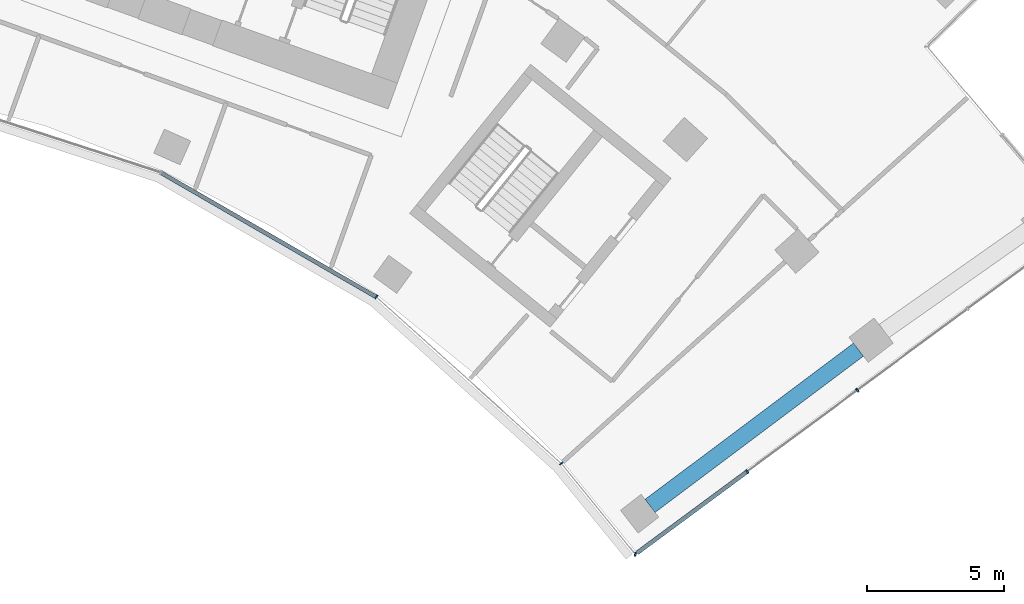
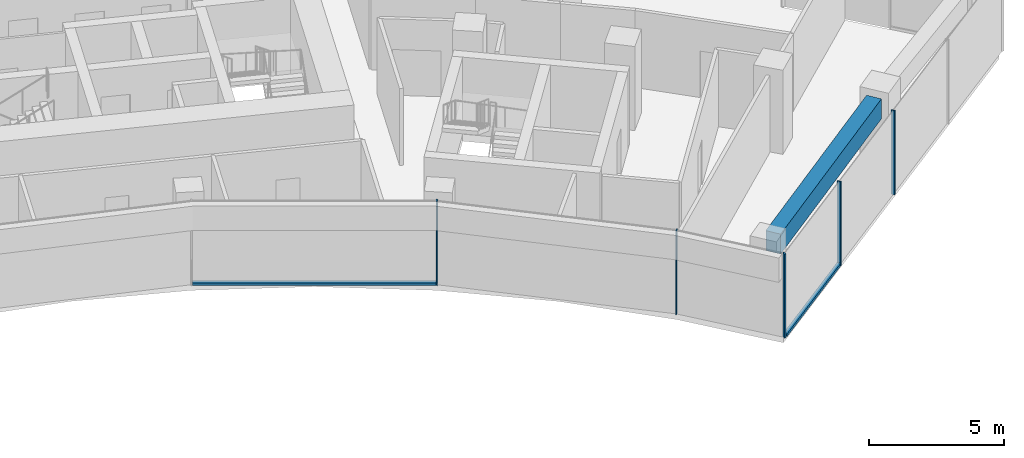
# One storey, part 7 of 19: 7 members, 1 beam, 2 elements without a shape of their own.
"""IFC4 building model written with IfcOpenShell, lengths in metres."""

from ifc_helpers import new_model, si_unit, direction, frame, origin, origin_2d, place, context, subcontext, project, spatial, rectangle, extrude, material, layer, layer_set, material_profile, profile_set, type_object, element, aggregate, save


model = new_model("IFC4")

# Units and contexts
model_context = context("Model", 3, precision=1e-05, world=origin(), true_north=direction((0.0, 1.0)))
body_context = subcontext(model_context, "Body", "Model", "MODEL_VIEW")
ifc_project = project(units=[si_unit("LENGTHUNIT", "METRE"), si_unit("AREAUNIT", "SQUARE_METRE"), si_unit("VOLUMEUNIT", "CUBIC_METRE"), si_unit("PLANEANGLEUNIT", "RADIAN"), si_unit("MASSUNIT", "GRAM", prefix="KILO")], contexts=[model_context])

# Site, building, storey
site_placement = place(None, origin())
site = spatial("IfcSite", under=ifc_project, at=site_placement, CompositionType="ELEMENT")
building_placement = place(site_placement, origin())
building = spatial("IfcBuilding", under=site, at=building_placement, Name="Stone Belt Terrace Tower", CompositionType="ELEMENT")
storey_placement = place(building_placement, frame((0.0, 0.0, 204.800048828125)))
storey = spatial("IfcBuildingStorey", under=building, at=storey_placement, Name="L49", CompositionType="ELEMENT", Elevation=204.800048828125)

# Curtain wall, members
ifc_material_1 = material(Name="Aluminium 6063-T6 anodised frame", Category="aluminium")
ifc_layer_1 = layer(ifc_material_1, 0.14990234375)
ifc_layer_set_1 = layer_set([ifc_layer_1], Name="CW-B unitised concave-face curtain wall")
curtain_wall_type_1 = type_object("IfcCurtainWallType", Name="CW-B unitised concave-face curtain wall", PredefinedType="NOTDEFINED", material=ifc_layer_set_1)
curtain_wall_1_placement = place(storey_placement, origin())
curtain_wall_1 = element("IfcCurtainWall", 1, at=curtain_wall_1_placement, inside=storey, type_object=curtain_wall_type_1, Name="CW-B concave face L49", PredefinedType="NOTDEFINED")
ifc_material_profile_1 = material_profile(ifc_material_1, rectangle(XDim=0.14990234375, YDim=0.050048828125, at=origin_2d()), Name="Aluminium 6063-T6 50x150")
ifc_profile_set_1 = profile_set([ifc_material_profile_1], Name="Aluminium 6063-T6 anodised frame")
member_type_1 = type_object("IfcMemberType", Name="CW-B mullion 50 x 150", PredefinedType="MULLION", material=ifc_profile_set_1)
member_1_placement = place(storey_placement, frame((25.5244140625, 35.13134765625, 0.0), z_axis=(0.0, 0.0, 1.0), x_axis=(0.587785252292, 0.809016994375, 0.0)))
member_1 = element("IfcMember", 2, at=member_1_placement, type_object=member_type_1, Name="CW-B mullion 8", PredefinedType="MULLION", context=body_context, shape_type="SweptSolid", body=[
    extrude(rectangle(XDim=0.14990234375, YDim=0.050048828125, at=origin_2d()), origin(), (0.0, 0.0, 1.0), 3.800048828125),
])
member_2_placement = place(storey_placement, frame((32.2724609375, 29.05517578125, 0.0), z_axis=(0.0, 0.0, 1.0), x_axis=(0.724007879695, 0.689791700544, 0.0)))
member_2 = element("IfcMember", 3, at=member_2_placement, type_object=member_type_1, Name="CW-B mullion 9", PredefinedType="MULLION", context=body_context, shape_type="SweptSolid", body=[
    extrude(rectangle(XDim=0.14990234375, YDim=0.050048828125, at=origin_2d()), origin(), (0.0, 0.0, 1.0), 3.800048828125),
])
ifc_material_profile_2 = material_profile(ifc_material_1, rectangle(XDim=0.14990234375, YDim=0.1201171875, at=origin_2d()), Name="Aluminium 6063-T6 150x120")
ifc_profile_set_2 = profile_set([ifc_material_profile_2], Name="Aluminium 6063-T6 anodised frame")
member_type_2 = type_object("IfcMemberType", Name="CW-B transom 120 x 150", PredefinedType="USERDEFINED", material=ifc_profile_set_2)
member_3_placement = place(storey_placement, frame((17.690673828125, 39.654052734375, 0.06005859375), z_axis=(0.866019133895, -0.500010859609, 0.0), x_axis=(0.500010859609, 0.866019133895, 0.0)))
member_3 = element("IfcMember", 4, at=member_3_placement, type_object=member_type_2, Name="CW-B transom 7.1", ObjectType="TRANSOM", PredefinedType="USERDEFINED", context=body_context, shape_type="SweptSolid", body=[
    extrude(rectangle(XDim=0.14990234375, YDim=0.1201171875, at=origin_2d()), origin(), (0.0, 0.0, 1.0), 9.012939453125),
])
aggregate(curtain_wall_1, [member_1, member_2, member_3])

ifc_layer_2 = layer(ifc_material_1, 0.14990234375)
ifc_layer_set_2 = layer_set([ifc_layer_2], Name="CW-C stick curtain wall, horn ends and notches")
curtain_wall_type_2 = type_object("IfcCurtainWallType", Name="CW-C stick curtain wall, horn ends and notches", PredefinedType="NOTDEFINED", material=ifc_layer_set_2)
curtain_wall_2_placement = place(storey_placement, origin())
curtain_wall_2 = element("IfcCurtainWall", 5, at=curtain_wall_2_placement, inside=storey, type_object=curtain_wall_type_2, Name="CW-C end face L49", PredefinedType="NOTDEFINED")
ifc_material_profile_3 = material_profile(ifc_material_1, rectangle(XDim=0.14990234375, YDim=0.06005859375, at=origin_2d()), Name="Aluminium 6063-T6 60x150")
ifc_profile_set_3 = profile_set([ifc_material_profile_3], Name="Aluminium 6063-T6 anodised frame")
member_type_3 = type_object("IfcMemberType", Name="CW-C mullion 60 x 150", PredefinedType="MULLION", material=ifc_profile_set_3)
member_4_placement = place(storey_placement, frame((34.975341796875, 25.744140625, 0.0), z_axis=(0.0, 0.0, 1.0), x_axis=(0.124625557677, 0.992203845172, 0.0)))
member_4 = element("IfcMember", 6, at=member_4_placement, type_object=member_type_3, Name="CW-C mullion 1", PredefinedType="MULLION", context=body_context, shape_type="SweptSolid", body=[
    extrude(rectangle(XDim=0.14990234375, YDim=0.06005859375, at=origin_2d()), origin(), (0.0, 0.0, 1.0), 3.800048828125),
])
member_5_placement = place(storey_placement, frame((39.054443359375, 28.757568359375, 0.0), z_axis=(0.0, 0.0, 1.0), x_axis=(-0.594184091865, 0.804329077539, 0.0)))
member_5 = element("IfcMember", 7, at=member_5_placement, type_object=member_type_3, Name="CW-C mullion 2", PredefinedType="MULLION", context=body_context, shape_type="SweptSolid", body=[
    extrude(rectangle(XDim=0.14990234375, YDim=0.06005859375, at=origin_2d()), origin(), (0.0, 0.0, 1.0), 3.800048828125),
])
member_6_placement = place(storey_placement, frame((43.076171875, 31.728515625, 0.0), z_axis=(0.0, 0.0, 1.0), x_axis=(-0.594184091865, 0.804329077539, 0.0)))
member_6 = element("IfcMember", 8, at=member_6_placement, type_object=member_type_3, Name="CW-C mullion 3", PredefinedType="MULLION", context=body_context, shape_type="SweptSolid", body=[
    extrude(rectangle(XDim=0.14990234375, YDim=0.06005859375, at=origin_2d()), origin(), (0.0, 0.0, 1.0), 3.800048828125),
])
ifc_material_profile_4 = material_profile(ifc_material_1, rectangle(XDim=0.14990234375, YDim=0.1201171875, at=origin_2d()), Name="Aluminium 6063-T6 150x120")
ifc_profile_set_4 = profile_set([ifc_material_profile_4], Name="Aluminium 6063-T6 anodised frame")
member_type_4 = type_object("IfcMemberType", Name="CW-C transom 120 x 150", PredefinedType="USERDEFINED", material=ifc_profile_set_4)
member_7_placement = place(storey_placement, frame((35.034423828125, 25.787841796875, 0.06005859375), z_axis=(0.804325227642, 0.594189303319, 0.0), x_axis=(-0.594189303319, 0.804325227642, 0.0)))
member_7 = element("IfcMember", 9, at=member_7_placement, type_object=member_type_4, Name="CW-C transom 1.1", ObjectType="TRANSOM", PredefinedType="USERDEFINED", context=body_context, shape_type="SweptSolid", body=[
    extrude(rectangle(XDim=0.14990234375, YDim=0.1201171875, at=origin_2d()), origin(), (0.0, 0.0, 1.0), 4.968017578125),
])
aggregate(curtain_wall_2, [member_4, member_5, member_6, member_7])

# Beam
ifc_material_2 = material(Name="Concrete B60", Category="concrete")
ifc_material_profile_5 = material_profile(ifc_material_2, rectangle(XDim=0.60009765625, YDim=0.89990234375, at=origin_2d()), Name="RC 600x900")
ifc_profile_set_5 = profile_set([ifc_material_profile_5], Name="Concrete B60")
beam_type = type_object("IfcBeamType", Name="Edge beam RC 600x900 B60", PredefinedType="SPANDREL", material=ifc_profile_set_5)
beam_placement = place(storey_placement, frame((35.51318359375, 27.5068359375, 3.030029296875), z_axis=(0.800073960697, 0.599901373073, 0.0), x_axis=(-0.599901373073, 0.800073960697, 0.0)))
element("IfcBeam", 10, at=beam_placement, inside=storey, type_object=beam_type, Name="Edge beam L49 B P to Q", PredefinedType="SPANDREL", context=body_context, shape_type="SweptSolid", body=[
    extrude(rectangle(XDim=0.60009765625, YDim=0.89990234375, at=origin_2d()), origin(), (0.0, 0.0, 1.0), 9.505859375),
])

save(model, "model.ifc")
